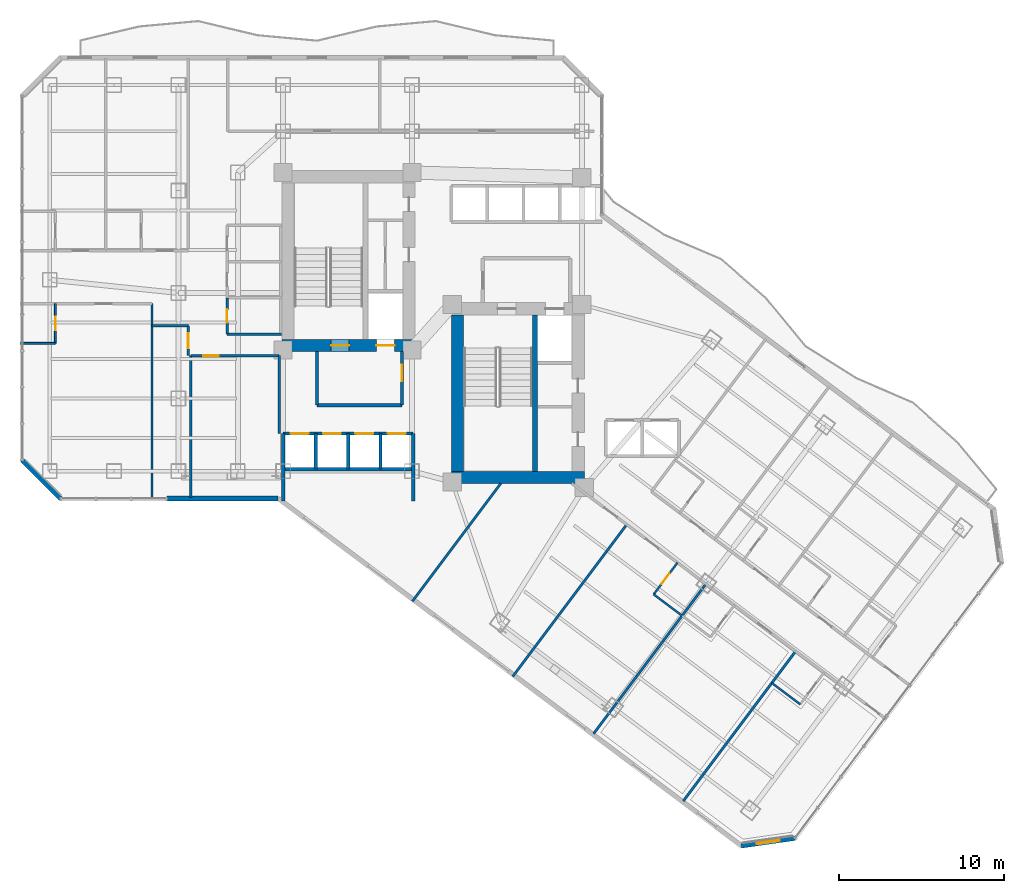
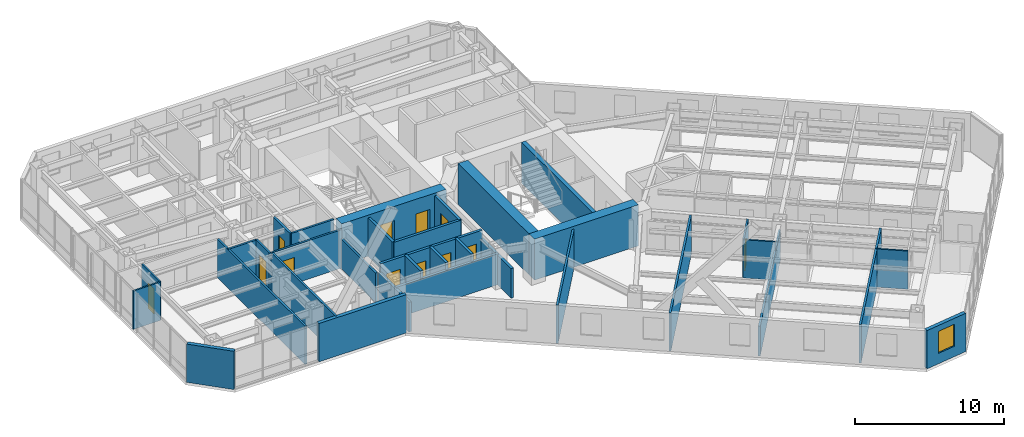
# One storey, part 22 of 30: 34 walls, 12 doors, 1 window, 13 openings.
"""IFC4 building model written with IfcOpenShell, lengths in metres."""

from ifc_helpers import new_model, si_unit, direction, frame, frame_2d, origin, place, context, subcontext, project, spatial, rectangle, extrude, material, layer, layer_set, type_object, element, fill, save


model = new_model("IFC4")

# Units and contexts
model_context = context("Model", 3, precision=1e-05, world=origin(), true_north=direction((0.0, 1.0)))
body_context = subcontext(model_context, "Body", "Model", "MODEL_VIEW")
ifc_project = project(units=[si_unit("LENGTHUNIT", "METRE"), si_unit("AREAUNIT", "SQUARE_METRE"), si_unit("VOLUMEUNIT", "CUBIC_METRE"), si_unit("PLANEANGLEUNIT", "RADIAN"), si_unit("MASSUNIT", "GRAM", prefix="KILO")], contexts=[model_context])

# Site, building, storey
site_placement = place(None, origin())
site = spatial("IfcSite", under=ifc_project, at=site_placement, CompositionType="ELEMENT")
building_placement = place(site_placement, origin())
building = spatial("IfcBuilding", under=site, at=building_placement, Name="Hatsunagi Terrace Concourse", CompositionType="ELEMENT")
storey_placement = place(building_placement, frame((0.0, 0.0, 74.60009765625)))
storey = spatial("IfcBuildingStorey", under=building, at=storey_placement, Name="L19", CompositionType="ELEMENT", Elevation=74.60009765625)

# Wall, openings, doors
ifc_material_1 = material(Name="Concrete Fc60", Category="concrete")
ifc_layer_1 = layer(ifc_material_1, 0.75)
ifc_layer_set_1 = layer_set([ifc_layer_1], Name="CoreShearWall_Fc60_750")
wall_type_1 = type_object("IfcWallType", Name="CoreShearWall_Fc60_750", PredefinedType="SHEAR", material=ifc_layer_set_1)
wall_1_placement = place(storey_placement, frame((25.469970703125, 32.81494140625, 0.0), z_axis=(0.0, 0.0, 1.0), x_axis=(1.0, 0.0, 0.0)))
wall_1 = element("IfcWall", 1, at=wall_1_placement, inside=storey, type_object=wall_type_1, Name="Core A Shear Wall S L19", PredefinedType="SHEAR", context=body_context, shape_type="SweptSolid", body=[
    extrude(rectangle(XDim=8.080078125, YDim=0.75, at=frame_2d((4.0400390625, 0.0))), origin(), (0.0, 0.0, 1.0), 3.349853515625),
])
opening_1_placement = place(wall_1_placement, frame((2.97998046875, 0.0, 0.0)))
opening_1 = element("IfcOpeningElement", 2, at=opening_1_placement, cuts=wall_1, Name="Opening DR-110S", PredefinedType="OPENING", context=body_context, shape_type="SweptSolid", body=[
    extrude(rectangle(XDim=1.10009765625, YDim=2.199951171875, at=frame_2d((0.550048828125, 1.10009765625))), frame((0.0, 0.385009765625, 0.0), z_axis=(0.0, -1.0, 0.0), x_axis=(1.0, 0.0, 0.0)), (0.0, 0.0, 1.0), 0.77001953125),
])
opening_2_placement = place(wall_1_placement, frame((5.72998046875, 0.0, 0.0)))
opening_2 = element("IfcOpeningElement", 3, at=opening_2_placement, cuts=wall_1, Name="Opening LD-01", PredefinedType="OPENING", context=body_context, shape_type="SweptSolid", body=[
    extrude(rectangle(XDim=1.10009765625, YDim=2.14990234375, at=frame_2d((0.550048828125, 1.074951171875))), frame((0.0, 0.385009765625, 0.0), z_axis=(0.0, -1.0, 0.0), x_axis=(1.0, 0.0, 0.0)), (0.0, 0.0, 1.0), 0.77001953125),
])
ifc_material_2 = material(Name="Stainless steel", Category="steel")
door_type_1 = type_object("IfcDoorType", Name="LiftLandingDoor_LD01", OperationType="SLIDING_TO_LEFT", PredefinedType="USERDEFINED", material=ifc_material_2)
door_1_placement = place(opening_2_placement, origin())
door_1 = element("IfcDoor", 4, at=door_1_placement, inside=storey, type_object=door_type_1, Name="Lift landing door FF-01 L19", ObjectType="SLIDING_LANDING_DOOR", OperationType="SLIDING_TO_LEFT", OverallHeight=2.14990234375, OverallWidth=1.10009765625, PredefinedType="USERDEFINED", context=body_context, shape_type="SweptSolid", body=[
    extrude(rectangle(XDim=1.10009765625, YDim=2.14990234375, at=frame_2d((0.550048828125, 1.074951171875))), frame((0.0, 0.02490234375, 0.0), z_axis=(0.0, -1.0, 0.0), x_axis=(1.0, 0.0, 0.0)), (0.0, 0.0, 1.0), 0.050048828125),
])
fill(opening_2, door_1)
ifc_material_3 = material(Name="Painted steel", Category="steel")
door_type_2 = type_object("IfcDoorType", Name="StairFireDoor_EI60_1100", OperationType="NOTDEFINED", PredefinedType="DOOR", material=ifc_material_3)
door_2_placement = place(opening_1_placement, origin())
door_2 = element("IfcDoor", 5, at=door_2_placement, inside=storey, type_object=door_type_2, Name="Stair ST-A Exit Door L19", OperationType="SINGLE_SWING_LEFT", OverallHeight=2.199951171875, OverallWidth=1.10009765625, PredefinedType="DOOR", context=body_context, shape_type="SweptSolid", body=[
    extrude(rectangle(XDim=1.10009765625, YDim=2.199951171875, at=frame_2d((0.550048828125, 1.10009765625))), frame((0.0, 0.02490234375, 0.0), z_axis=(0.0, -1.0, 0.0), x_axis=(1.0, 0.0, 0.0)), (0.0, 0.0, 1.0), 0.050048828125),
])
fill(opening_1, door_2)

# Walls
wall_2_placement = place(storey_placement, frame((35.739990234375, 24.81494140625, 0.0), z_axis=(0.0, 0.0, 1.0), x_axis=(1.0, 0.0, 0.0)))
element("IfcWall", 6, at=wall_2_placement, inside=storey, type_object=wall_type_1, Name="Core B Shear Wall S L19", PredefinedType="SHEAR", context=body_context, shape_type="SweptSolid", body=[
    extrude(rectangle(XDim=8.06005859375, YDim=0.75, at=frame_2d((4.030029296875, 0.0))), origin(), (0.0, 0.0, 1.0), 3.349853515625),
])
wall_3_placement = place(storey_placement, frame((36.114990234375, 25.18994140625, 0.0), z_axis=(0.0, 0.0, 1.0), x_axis=(0.0, 1.0, 0.0)))
element("IfcWall", 7, at=wall_3_placement, inside=storey, type_object=wall_type_1, Name="Core B Shear Wall W L19", PredefinedType="SHEAR", context=body_context, shape_type="SweptSolid", body=[
    extrude(rectangle(XDim=9.47998046875, YDim=0.75, at=frame_2d((4.739990234375, 0.0))), origin(), (0.0, 0.0, 1.0), 3.349853515625),
])
ifc_material_4 = material(Name="Concrete Fc48", Category="concrete")
ifc_layer_2 = layer(ifc_material_4, 0.300048828125)
ifc_layer_set_2 = layer_set([ifc_layer_2], Name="CoreStairDivider_Fc48_300")
wall_type_2 = type_object("IfcWallType", Name="CoreStairDivider_Fc48_300", PredefinedType="SHEAR", material=ifc_layer_set_2)
wall_4_placement = place(storey_placement, frame((40.81005859375, 25.18994140625, 0.0), z_axis=(0.0, 0.0, 1.0), x_axis=(0.0, 1.0, 0.0)))
element("IfcWall", 8, at=wall_4_placement, inside=storey, type_object=wall_type_2, Name="Core B Shear Wall D L19", PredefinedType="SHEAR", context=body_context, shape_type="SweptSolid", body=[
    extrude(rectangle(XDim=9.47998046875, YDim=0.300048828125, at=frame_2d((4.739990234375, 0.0))), origin(), (0.0, 0.0, 1.0), 3.349853515625),
])

# Wall, opening, door
ifc_material_5 = material(Name="Acoustic mineral board", Category="gypsum")
ifc_layer_3 = layer(ifc_material_5, 0.1201171875)
ifc_layer_set_3 = layer_set([ifc_layer_3], Name="PartitionWall_EI30_120")
wall_type_3 = type_object("IfcWallType", Name="PartitionWall_EI30_120", PredefinedType="PARTITIONING", material=ifc_layer_set_3)
wall_5_placement = place(storey_placement, frame((11.75, 32.949951171875, 0.0), z_axis=(0.0, 0.0, 1.0), x_axis=(0.0, 1.0, 0.0)))
wall_5 = element("IfcWall", 9, at=wall_5_placement, inside=storey, type_object=wall_type_3, Name="Interior Partition IW-L19-060", PredefinedType="PARTITIONING", context=body_context, shape_type="SweptSolid", body=[
    extrude(rectangle(XDim=2.400146484375, YDim=0.1201171875, at=frame_2d((1.2001953125, 0.0))), origin(), (0.0, 0.0, 1.0), 3.1298828125),
])
opening_3_placement = place(wall_5_placement, frame((0.800048828125, 0.0, 0.0)))
opening_3 = element("IfcOpeningElement", 10, at=opening_3_placement, cuts=wall_5, Name="Opening DR-080", PredefinedType="OPENING", context=body_context, shape_type="SweptSolid", body=[
    extrude(rectangle(XDim=0.800048828125, YDim=2.06005859375, at=frame_2d((0.39990234375, 1.030029296875))), frame((0.0, 0.070068359375, 0.0), z_axis=(0.0, -1.0, 0.0), x_axis=(1.0, 0.0, 0.0)), (0.0, 0.0, 1.0), 0.14013671875),
])
ifc_material_6 = material(Name="Hardwood timber", Category="wood")
door_type_3 = type_object("IfcDoorType", Name="BathroomDoor_800", OperationType="NOTDEFINED", PredefinedType="DOOR", material=ifc_material_6)
door_3_placement = place(opening_3_placement, origin())
door_3 = element("IfcDoor", 11, at=door_3_placement, inside=storey, type_object=door_type_3, Name="En-Suite Bathroom L19-S1 Door", OperationType="SINGLE_SWING_RIGHT", OverallHeight=2.06005859375, OverallWidth=0.800048828125, PredefinedType="DOOR", context=body_context, shape_type="SweptSolid", body=[
    extrude(rectangle(XDim=0.800048828125, YDim=2.06005859375, at=frame_2d((0.39990234375, 1.030029296875))), frame((0.0, 0.02490234375, 0.0), z_axis=(0.0, -1.0, 0.0), x_axis=(1.0, 0.0, 0.0)), (0.0, 0.0, 1.0), 0.050048828125),
])
fill(opening_3, door_3)

# Wall
wall_6_placement = place(storey_placement, frame((9.639892578125, 32.949951171875, 0.0), z_axis=(0.0, 0.0, 1.0), x_axis=(1.0, 0.0, 0.0)))
element("IfcWall", 12, at=wall_6_placement, inside=storey, type_object=wall_type_3, Name="Interior Partition IW-L19-061", PredefinedType="PARTITIONING", context=body_context, shape_type="SweptSolid", body=[
    extrude(rectangle(XDim=2.110107421875, YDim=0.1201171875, at=frame_2d((1.05517578125, 0.0))), origin(), (0.0, 0.0, 1.0), 3.1298828125),
])

# Wall, opening, door
wall_7_placement = place(storey_placement, frame((48.010009765625, 17.72998046875, 0.0), z_axis=(0.0, 0.0, 1.0), x_axis=(0.6, 0.8, 0.0)))
wall_7 = element("IfcWall", 13, at=wall_7_placement, inside=storey, type_object=wall_type_3, Name="Interior Partition IW-L19-087", PredefinedType="PARTITIONING", context=body_context, shape_type="SweptSolid", body=[
    extrude(rectangle(XDim=2.39990234375, YDim=0.1201171875, at=frame_2d((1.199951171875, 0.0))), origin(), (0.0, 0.0, 1.0), 3.1298828125),
])
opening_4_placement = place(wall_7_placement, frame((0.800048828125, 0.0, 0.0)))
opening_4 = element("IfcOpeningElement", 14, at=opening_4_placement, cuts=wall_7, Name="Opening DR-080", PredefinedType="OPENING", context=body_context, shape_type="SweptSolid", body=[
    extrude(rectangle(XDim=0.800048828125, YDim=2.06005859375, at=frame_2d((0.39990234375, 1.030029296875))), frame((0.0, 0.070068359375, 0.0), z_axis=(0.0, -1.0, 0.0), x_axis=(1.0, 0.0, 0.0)), (0.0, 0.0, 1.0), 0.14013671875),
])
door_4_placement = place(opening_4_placement, origin())
door_4 = element("IfcDoor", 15, at=door_4_placement, inside=storey, type_object=door_type_3, Name="En-Suite Bathroom L19-SESW1 Door", OperationType="SINGLE_SWING_LEFT", OverallHeight=2.06005859375, OverallWidth=0.800048828125, PredefinedType="DOOR", context=body_context, shape_type="SweptSolid", body=[
    extrude(rectangle(XDim=0.800048828125, YDim=2.06005859375, at=frame_2d((0.39990234375, 1.030029296875))), frame((0.0, 0.02490234375, 0.0), z_axis=(0.0, -1.0, 0.0), x_axis=(1.0, 0.0, 0.0)), (0.0, 0.0, 1.0), 0.050048828125),
])
fill(opening_4, door_4)

# Walls
for number, where, z_axis, x_axis, name in (
    (16, (48.010009765625, 17.72998046875, 0.0), (0.0, 0.0, 1.0), (0.79998637334, -0.60001816845, 0.0), "Interior Partition IW-L19-088"),
    (17, (55.169921875, 12.360107421875, 0.0), (0.0, 0.0, 1.0), (0.79998637334, -0.60001816845, 0.0), "Interior Partition IW-L19-098"),
):
    element("IfcWall", number, at=place(storey_placement, frame(where, z_axis=z_axis, x_axis=x_axis)), inside=storey, type_object=wall_type_3, Name=name, PredefinedType="PARTITIONING", context=body_context, shape_type="SweptSolid", body=[
        extrude(rectangle(XDim=2.14990234375, YDim=0.1201171875, at=frame_2d((1.074951171875, 0.0))), origin(), (0.0, 0.0, 1.0), 3.1298828125),
    ])
ifc_material_7 = material(Name="Acoustic mineral board", Category="gypsum")
ifc_layer_4 = layer(ifc_material_7, 0.14990234375)
ifc_layer_set_4 = layer_set([ifc_layer_4], Name="PartitionWall_EI60_150")
wall_type_4 = type_object("IfcWallType", Name="PartitionWall_EI60_150", PredefinedType="PARTITIONING", material=ifc_layer_set_4)
wall_8_placement = place(storey_placement, frame((22.14990234375, 33.5, 0.0), z_axis=(0.0, 0.0, 1.0), x_axis=(1.0, 0.0, 0.0)))
element("IfcWall", 18, at=wall_8_placement, inside=storey, type_object=wall_type_4, Name="Interior Partition IW-L19-030", PredefinedType="PARTITIONING", context=body_context, shape_type="SweptSolid", body=[
    extrude(rectangle(XDim=3.300048828125, YDim=0.14990234375, at=frame_2d((1.64990234375, 0.0))), origin(), (0.0, 0.0, 1.0), 3.1298828125),
])

# Wall, opening, door
wall_9_placement = place(storey_placement, frame((22.14990234375, 33.5, 0.0), z_axis=(0.0, 0.0, 1.0), x_axis=(0.0, 1.0, 0.0)))
wall_9 = element("IfcWall", 19, at=wall_9_placement, inside=storey, type_object=wall_type_4, Name="Interior Partition IW-L19-035", PredefinedType="PARTITIONING", context=body_context, shape_type="SweptSolid", body=[
    extrude(rectangle(XDim=2.199951171875, YDim=0.14990234375, at=frame_2d((1.10009765625, 0.0))), origin(), (0.0, 0.0, 1.0), 3.1298828125),
])
opening_5_placement = place(wall_9_placement, frame((0.699951171875, 0.0, 0.0)))
opening_5 = element("IfcOpeningElement", 20, at=opening_5_placement, cuts=wall_9, Name="Opening DR-080", PredefinedType="OPENING", context=body_context, shape_type="SweptSolid", body=[
    extrude(rectangle(XDim=0.800048828125, YDim=2.06005859375, at=frame_2d((0.39990234375, 1.030029296875))), frame((0.0, 0.0849609375, 0.0), z_axis=(0.0, -1.0, 0.0), x_axis=(1.0, 0.0, 0.0)), (0.0, 0.0, 1.0), 0.169921875),
])
door_5_placement = place(opening_5_placement, origin())
door_5 = element("IfcDoor", 21, at=door_5_placement, inside=storey, type_object=door_type_3, Name="Accessible WC Door L19", OperationType="SINGLE_SWING_RIGHT", OverallHeight=2.06005859375, OverallWidth=0.800048828125, PredefinedType="DOOR", context=body_context, shape_type="SweptSolid", body=[
    extrude(rectangle(XDim=0.800048828125, YDim=2.06005859375, at=frame_2d((0.39990234375, 1.030029296875))), frame((0.0, 0.02490234375, 0.0), z_axis=(0.0, -1.0, 0.0), x_axis=(1.0, 0.0, 0.0)), (0.0, 0.0, 1.0), 0.050048828125),
])
fill(opening_5, door_5)

# Walls
wall_10_placement = place(storey_placement, frame((33.384033203125, 17.31201171875, 0.0), z_axis=(0.0, 0.0, 1.0), x_axis=(0.600008743659, 0.799993442181, 0.0)))
element("IfcWall", 22, at=wall_10_placement, inside=storey, type_object=wall_type_4, Name="Interior Partition IW-L19-043", PredefinedType="PARTITIONING", context=body_context, shape_type="SweptSolid", body=[
    extrude(rectangle(XDim=8.93505859375, YDim=0.14990234375, at=frame_2d((4.467529296875, 0.0))), origin(), (0.0, 0.0, 1.0), 3.1298828125),
])
wall_11_placement = place(storey_placement, frame((39.464111328125, 12.751953125, 0.0), z_axis=(0.0, 0.0, 1.0), x_axis=(0.6, 0.8, 0.0)))
element("IfcWall", 23, at=wall_11_placement, inside=storey, type_object=wall_type_4, Name="Interior Partition IW-L19-044", PredefinedType="PARTITIONING", context=body_context, shape_type="SweptSolid", body=[
    extrude(rectangle(XDim=11.510009765625, YDim=0.14990234375, at=frame_2d((5.7548828125, 0.0))), origin(), (0.0, 0.0, 1.0), 3.1298828125),
])

# Wall, opening, door
wall_12_placement = place(storey_placement, frame((19.949951171875, 32.199951171875, 0.0), z_axis=(0.0, 0.0, 1.0), x_axis=(1.0, 0.0, 0.0)))
wall_12 = element("IfcWall", 24, at=wall_12_placement, inside=storey, type_object=wall_type_4, Name="Interior Partition IW-L19-045", PredefinedType="PARTITIONING", context=body_context, shape_type="SweptSolid", body=[
    extrude(rectangle(XDim=5.35009765625, YDim=0.14990234375, at=frame_2d((2.675048828125, 0.0))), origin(), (0.0, 0.0, 1.0), 3.1298828125),
])
opening_6_placement = place(wall_12_placement, frame((0.743896484375, 0.0, 0.0)))
opening_6 = element("IfcOpeningElement", 25, at=opening_6_placement, cuts=wall_12, Name="Opening DR-095", PredefinedType="OPENING", context=body_context, shape_type="SweptSolid", body=[
    extrude(rectangle(XDim=0.949951171875, YDim=2.14990234375, at=frame_2d((0.47509765625, 1.074951171875))), frame((0.0, 0.0849609375, 0.0), z_axis=(0.0, -1.0, 0.0), x_axis=(1.0, 0.0, 0.0)), (0.0, 0.0, 1.0), 0.169921875),
])
ifc_material_8 = material(Name="Hardwood timber", Category="wood")
door_type_4 = type_object("IfcDoorType", Name="InteriorSuiteDoor_EI30_950", OperationType="NOTDEFINED", PredefinedType="DOOR", material=ifc_material_8)
door_6_placement = place(opening_6_placement, origin())
door_6 = element("IfcDoor", 26, at=door_6_placement, inside=storey, type_object=door_type_4, Name="Hotel Wellness Spa L19-HSPA Door", OperationType="SINGLE_SWING_LEFT", OverallHeight=2.14990234375, OverallWidth=0.949951171875, PredefinedType="DOOR", context=body_context, shape_type="SweptSolid", body=[
    extrude(rectangle(XDim=0.949951171875, YDim=2.14990234375, at=frame_2d((0.47509765625, 1.074951171875))), frame((0.0, 0.02490234375, 0.0), z_axis=(0.0, -1.0, 0.0), x_axis=(1.0, 0.0, 0.0)), (0.0, 0.0, 1.0), 0.050048828125),
])
fill(opening_6, door_6)

# Walls
wall_13_placement = place(storey_placement, frame((19.949951171875, 23.60009765625, 0.0), z_axis=(0.0, 0.0, 1.0), x_axis=(0.0, 1.0, 0.0)))
element("IfcWall", 27, at=wall_13_placement, inside=storey, type_object=wall_type_4, Name="Interior Partition IW-L19-046", PredefinedType="PARTITIONING", context=body_context, shape_type="SweptSolid", body=[
    extrude(rectangle(XDim=8.599853515625, YDim=0.14990234375, at=frame_2d((4.2998046875, 0.0))), origin(), (0.0, 0.0, 1.0), 3.1298828125),
])
wall_14_placement = place(storey_placement, frame((25.300048828125, 27.47998046875, 0.0), z_axis=(0.0, 0.0, 1.0), x_axis=(0.0, 1.0, 0.0)))
element("IfcWall", 28, at=wall_14_placement, inside=storey, type_object=wall_type_4, Name="Interior Partition IW-L19-047", PredefinedType="PARTITIONING", context=body_context, shape_type="SweptSolid", body=[
    extrude(rectangle(XDim=4.719970703125, YDim=0.14990234375, at=frame_2d((2.35986328125, 0.0))), origin(), (0.0, 0.0, 1.0), 2.4248046875),
])
wall_15_placement = place(storey_placement, frame((17.60009765625, 23.60009765625, 0.0), z_axis=(0.0, 0.0, 1.0), x_axis=(0.0, 1.0, 0.0)))
element("IfcWall", 29, at=wall_15_placement, inside=storey, type_object=wall_type_4, Name="Interior Partition IW-L19-062", PredefinedType="PARTITIONING", context=body_context, shape_type="SweptSolid", body=[
    extrude(rectangle(XDim=11.75, YDim=0.14990234375, at=frame_2d((5.875, 0.0))), origin(), (0.0, 0.0, 1.0), 3.1298828125),
])
wall_16_placement = place(storey_placement, frame((17.60009765625, 34.0, 0.0), z_axis=(0.0, 0.0, 1.0), x_axis=(1.0, 0.0, 0.0)))
element("IfcWall", 30, at=wall_16_placement, inside=storey, type_object=wall_type_4, Name="Interior Partition IW-L19-063", PredefinedType="PARTITIONING", context=body_context, shape_type="SweptSolid", body=[
    extrude(rectangle(XDim=2.199951171875, YDim=0.14990234375, at=frame_2d((1.10009765625, 0.0))), origin(), (0.0, 0.0, 1.0), 3.1298828125),
])

# Wall, opening, door
wall_17_placement = place(storey_placement, frame((19.800048828125, 32.199951171875, 0.0), z_axis=(0.0, 0.0, 1.0), x_axis=(0.0, 1.0, 0.0)))
wall_17 = element("IfcWall", 31, at=wall_17_placement, inside=storey, type_object=wall_type_4, Name="Interior Partition IW-L19-064", PredefinedType="PARTITIONING", context=body_context, shape_type="SweptSolid", body=[
    extrude(rectangle(XDim=1.800048828125, YDim=0.14990234375, at=frame_2d((0.89990234375, 0.0))), origin(), (0.0, 0.0, 1.0), 3.1298828125),
])
opening_7_placement = place(wall_17_placement, frame((0.449951171875, 0.0, 0.0)))
opening_7 = element("IfcOpeningElement", 32, at=opening_7_placement, cuts=wall_17, Name="Opening DR-090", PredefinedType="OPENING", context=body_context, shape_type="SweptSolid", body=[
    extrude(rectangle(XDim=0.89990234375, YDim=2.14990234375, at=frame_2d((0.449951171875, 1.074951171875))), frame((0.0, 0.0849609375, 0.0), z_axis=(0.0, -1.0, 0.0), x_axis=(1.0, 0.0, 0.0)), (0.0, 0.0, 1.0), 0.169921875),
])
ifc_material_9 = material(Name="Hardwood timber", Category="wood")
door_type_5 = type_object("IfcDoorType", Name="CrownPavilionDoor_EI30_900", OperationType="NOTDEFINED", PredefinedType="DOOR", material=ifc_material_9)
door_7_placement = place(opening_7_placement, origin())
door_7 = element("IfcDoor", 33, at=door_7_placement, inside=storey, type_object=door_type_5, Name="Catering Pantry L19-HPAN Door", OperationType="SINGLE_SWING_RIGHT", OverallHeight=2.14990234375, OverallWidth=0.89990234375, PredefinedType="DOOR", context=body_context, shape_type="SweptSolid", body=[
    extrude(rectangle(XDim=0.89990234375, YDim=2.14990234375, at=frame_2d((0.449951171875, 1.074951171875))), frame((0.0, 0.02490234375, 0.0), z_axis=(0.0, -1.0, 0.0), x_axis=(1.0, 0.0, 0.0)), (0.0, 0.0, 1.0), 0.050048828125),
])
fill(opening_7, door_7)

# Walls
wall_18_placement = place(storey_placement, frame((44.360107421875, 9.280029296875, 0.0), z_axis=(0.0, 0.0, 1.0), x_axis=(0.599986233332, 0.800010324816, 0.0)))
element("IfcWall", 34, at=wall_18_placement, inside=storey, type_object=wall_type_4, Name="Interior Partition IW-L19-089", PredefinedType="PARTITIONING", context=body_context, shape_type="SweptSolid", body=[
    extrude(rectangle(XDim=11.349853515625, YDim=0.14990234375, at=frame_2d((5.6748046875, 0.0))), origin(), (0.0, 0.0, 1.0), 2.4248046875),
])
wall_19_placement = place(storey_placement, frame((49.800048828125, 5.199951171875, 0.0), z_axis=(0.0, 0.0, 1.0), x_axis=(0.6, 0.8, 0.0)))
element("IfcWall", 35, at=wall_19_placement, inside=storey, type_object=wall_type_4, Name="Interior Partition IW-L19-094", PredefinedType="PARTITIONING", context=body_context, shape_type="SweptSolid", body=[
    extrude(rectangle(XDim=11.35009765625, YDim=0.14990234375, at=frame_2d((5.675048828125, 0.0))), origin(), (0.0, 0.0, 1.0), 3.1298828125),
])
ifc_material_10 = material(Name="Acoustic mineral board", Category="gypsum")
ifc_layer_5 = layer(ifc_material_10, 0.199951171875)
ifc_layer_set_5 = layer_set([ifc_layer_5], Name="ShaftWall_EI120_200")
wall_type_5 = type_object("IfcWallType", Name="ShaftWall_EI120_200", PredefinedType="STANDARD", material=ifc_layer_set_5)
wall_20_placement = place(storey_placement, frame((27.60009765625, 29.199951171875, 0.0), z_axis=(0.0, 0.0, 1.0), x_axis=(1.0, 0.0, 0.0)))
element("IfcWall", 36, at=wall_20_placement, inside=storey, type_object=wall_type_5, Name="Interior Partition IW-L19-006", PredefinedType="STANDARD", context=body_context, shape_type="SweptSolid", body=[
    extrude(rectangle(XDim=5.14990234375, YDim=0.199951171875, at=frame_2d((2.574951171875, 0.0))), origin(), (0.0, 0.0, 1.0), 3.1298828125),
])
wall_21_placement = place(storey_placement, frame((27.60009765625, 29.199951171875, 0.0), z_axis=(0.0, 0.0, 1.0), x_axis=(0.0, 1.0, 0.0)))
element("IfcWall", 37, at=wall_21_placement, inside=storey, type_object=wall_type_5, Name="Interior Partition IW-L19-007", PredefinedType="STANDARD", context=body_context, shape_type="SweptSolid", body=[
    extrude(rectangle(XDim=3.239990234375, YDim=0.199951171875, at=frame_2d((1.6201171875, 0.0))), origin(), (0.0, 0.0, 1.0), 3.1298828125),
])

# Wall, opening, door
wall_22_placement = place(storey_placement, frame((32.75, 29.199951171875, 0.0), z_axis=(0.0, 0.0, 1.0), x_axis=(0.0, 1.0, 0.0)))
wall_22 = element("IfcWall", 38, at=wall_22_placement, inside=storey, type_object=wall_type_5, Name="Interior Partition IW-L19-008", PredefinedType="STANDARD", context=body_context, shape_type="SweptSolid", body=[
    extrude(rectangle(XDim=3.239990234375, YDim=0.199951171875, at=frame_2d((1.6201171875, 0.0))), origin(), (0.0, 0.0, 1.0), 3.1298828125),
])
opening_8_placement = place(wall_22_placement, frame((1.449951171875, 0.0, 0.0)))
opening_8 = element("IfcOpeningElement", 39, at=opening_8_placement, cuts=wall_22, Name="Opening DR-100F", PredefinedType="OPENING", context=body_context, shape_type="SweptSolid", body=[
    extrude(rectangle(XDim=1.0, YDim=2.199951171875, at=frame_2d((0.5, 1.10009765625))), frame((0.0, 0.10986328125, 0.0), z_axis=(0.0, -1.0, 0.0), x_axis=(1.0, 0.0, 0.0)), (0.0, 0.0, 1.0), 0.219970703125),
])
ifc_material_11 = material(Name="Painted steel", Category="steel")
door_type_6 = type_object("IfcDoorType", Name="FireDoor_EI60_1000", OperationType="NOTDEFINED", PredefinedType="DOOR", material=ifc_material_11)
door_8_placement = place(opening_8_placement, origin())
door_8 = element("IfcDoor", 40, at=door_8_placement, inside=storey, type_object=door_type_6, Name="Firefighting Lobby A Door L19", OperationType="SINGLE_SWING_RIGHT", OverallHeight=2.199951171875, OverallWidth=1.0, PredefinedType="DOOR", context=body_context, shape_type="SweptSolid", body=[
    extrude(rectangle(XDim=1.0, YDim=2.199951171875, at=frame_2d((0.5, 1.10009765625))), frame((0.0, 0.02490234375, 0.0), z_axis=(0.0, -1.0, 0.0), x_axis=(1.0, 0.0, 0.0)), (0.0, 0.0, 1.0), 0.050048828125),
])
fill(opening_8, door_8)

# Walls
for number, where, z_axis, x_axis, name in (
    (41, (25.550048828125, 23.39990234375, 0.0), (0.0, 0.0, 1.0), (0.0, 1.0, 0.0), "Interior Partition IW-L19-012"),
    (42, (33.429931640625, 23.39990234375, 0.0), (0.0, 0.0, 1.0), (0.0, 1.0, 0.0), "Interior Partition IW-L19-013"),
):
    element("IfcWall", number, at=place(storey_placement, frame(where, z_axis=z_axis, x_axis=x_axis)), inside=storey, type_object=wall_type_5, Name=name, PredefinedType="STANDARD", context=body_context, shape_type="SweptSolid", body=[
        extrude(rectangle(XDim=4.080078125, YDim=0.199951171875, at=frame_2d((2.0400390625, 0.0))), origin(), (0.0, 0.0, 1.0), 2.4248046875),
    ])
wall_23_placement = place(storey_placement, frame((25.550048828125, 25.320068359375, 0.0), z_axis=(0.0, 0.0, 1.0), x_axis=(1.0, 0.0, 0.0)))
element("IfcWall", 43, at=wall_23_placement, inside=storey, type_object=wall_type_5, Name="Interior Partition IW-L19-014", PredefinedType="STANDARD", context=body_context, shape_type="SweptSolid", body=[
    extrude(rectangle(XDim=7.8798828125, YDim=0.199951171875, at=frame_2d((3.93994140625, 0.0))), origin(), (0.0, 0.0, 1.0), 2.52490234375),
])
for number, where, z_axis, x_axis, name in (
    (44, (27.530029296875, 25.320068359375, 0.0), (0.0, 0.0, 1.0), (0.0, 1.0, 0.0), "Interior Partition IW-L19-015"),
    (45, (29.489990234375, 25.320068359375, 0.0), (0.0, 0.0, 1.0), (0.0, 1.0, 0.0), "Interior Partition IW-L19-016"),
    (46, (31.449951171875, 25.320068359375, 0.0), (0.0, 0.0, 1.0), (0.0, 1.0, 0.0), "Interior Partition IW-L19-017"),
):
    element("IfcWall", number, at=place(storey_placement, frame(where, z_axis=z_axis, x_axis=x_axis)), inside=storey, type_object=wall_type_5, Name=name, PredefinedType="STANDARD", context=body_context, shape_type="SweptSolid", body=[
        extrude(rectangle(XDim=2.159912109375, YDim=0.199951171875, at=frame_2d((1.080078125, 0.0))), origin(), (0.0, 0.0, 1.0), 3.1298828125),
    ])

# Wall, openings, doors
wall_24_placement = place(storey_placement, frame((25.550048828125, 27.47998046875, 0.0), z_axis=(0.0, 0.0, 1.0), x_axis=(1.0, 0.0, 0.0)))
wall_24 = element("IfcWall", 47, at=wall_24_placement, inside=storey, type_object=wall_type_5, Name="Interior Partition IW-L19-018", PredefinedType="STANDARD", context=body_context, shape_type="SweptSolid", body=[
    extrude(rectangle(XDim=7.8798828125, YDim=0.199951171875, at=frame_2d((3.93994140625, 0.0))), origin(), (0.0, 0.0, 1.0), 3.1298828125),
])
opening_9_placement = place(wall_24_placement, frame((0.4599609375, 0.0, 0.0)))
opening_9 = element("IfcOpeningElement", 48, at=opening_9_placement, cuts=wall_24, Name="Opening LD-03", PredefinedType="OPENING", context=body_context, shape_type="SweptSolid", body=[
    extrude(rectangle(XDim=1.080078125, YDim=2.14990234375, at=frame_2d((0.5400390625, 1.074951171875))), frame((0.0, 0.10986328125, 0.0), z_axis=(0.0, -1.0, 0.0), x_axis=(1.0, 0.0, 0.0)), (0.0, 0.0, 1.0), 0.219970703125),
])
opening_10_placement = place(wall_24_placement, frame((2.419921875, 0.0, 0.0)))
opening_10 = element("IfcOpeningElement", 49, at=opening_10_placement, cuts=wall_24, Name="Opening LD-03", PredefinedType="OPENING", context=body_context, shape_type="SweptSolid", body=[
    extrude(rectangle(XDim=1.080078125, YDim=2.14990234375, at=frame_2d((0.5400390625, 1.074951171875))), frame((0.0, 0.10986328125, 0.0), z_axis=(0.0, -1.0, 0.0), x_axis=(1.0, 0.0, 0.0)), (0.0, 0.0, 1.0), 0.219970703125),
])
opening_11_placement = place(wall_24_placement, frame((4.3798828125, 0.0, 0.0)))
opening_11 = element("IfcOpeningElement", 50, at=opening_11_placement, cuts=wall_24, Name="Opening LD-03", PredefinedType="OPENING", context=body_context, shape_type="SweptSolid", body=[
    extrude(rectangle(XDim=1.080078125, YDim=2.14990234375, at=frame_2d((0.5400390625, 1.074951171875))), frame((0.0, 0.10986328125, 0.0), z_axis=(0.0, -1.0, 0.0), x_axis=(1.0, 0.0, 0.0)), (0.0, 0.0, 1.0), 0.219970703125),
])
opening_12_placement = place(wall_24_placement, frame((6.340087890625, 0.0, 0.0)))
opening_12 = element("IfcOpeningElement", 51, at=opening_12_placement, cuts=wall_24, Name="Opening LD-03", PredefinedType="OPENING", context=body_context, shape_type="SweptSolid", body=[
    extrude(rectangle(XDim=1.080078125, YDim=2.14990234375, at=frame_2d((0.5400390625, 1.074951171875))), frame((0.0, 0.10986328125, 0.0), z_axis=(0.0, -1.0, 0.0), x_axis=(1.0, 0.0, 0.0)), (0.0, 0.0, 1.0), 0.219970703125),
])
ifc_material_12 = material(Name="Stainless steel", Category="steel")
door_type_7 = type_object("IfcDoorType", Name="LiftLandingDoor_LD03", OperationType="SLIDING_TO_LEFT", PredefinedType="USERDEFINED", material=ifc_material_12)
door_9_placement = place(opening_9_placement, origin())
door_9 = element("IfcDoor", 52, at=door_9_placement, inside=storey, type_object=door_type_7, Name="Lift landing door PL-01 L19", ObjectType="SLIDING_LANDING_DOOR", OperationType="SLIDING_TO_LEFT", OverallHeight=2.14990234375, OverallWidth=1.080078125, PredefinedType="USERDEFINED", context=body_context, shape_type="SweptSolid", body=[
    extrude(rectangle(XDim=1.080078125, YDim=2.14990234375, at=frame_2d((0.5400390625, 1.074951171875))), frame((0.0, 0.02490234375, 0.0), z_axis=(0.0, -1.0, 0.0), x_axis=(1.0, 0.0, 0.0)), (0.0, 0.0, 1.0), 0.050048828125),
])
fill(opening_9, door_9)
door_10_placement = place(opening_10_placement, origin())
door_10 = element("IfcDoor", 53, at=door_10_placement, inside=storey, type_object=door_type_7, Name="Lift landing door PL-02 L19", ObjectType="SLIDING_LANDING_DOOR", OperationType="SLIDING_TO_LEFT", OverallHeight=2.14990234375, OverallWidth=1.080078125, PredefinedType="USERDEFINED", context=body_context, shape_type="SweptSolid", body=[
    extrude(rectangle(XDim=1.080078125, YDim=2.14990234375, at=frame_2d((0.5400390625, 1.074951171875))), frame((0.0, 0.02490234375, 0.0), z_axis=(0.0, -1.0, 0.0), x_axis=(1.0, 0.0, 0.0)), (0.0, 0.0, 1.0), 0.050048828125),
])
fill(opening_10, door_10)
door_11_placement = place(opening_11_placement, origin())
door_11 = element("IfcDoor", 54, at=door_11_placement, inside=storey, type_object=door_type_7, Name="Lift landing door PL-03 L19", ObjectType="SLIDING_LANDING_DOOR", OperationType="SLIDING_TO_LEFT", OverallHeight=2.14990234375, OverallWidth=1.080078125, PredefinedType="USERDEFINED", context=body_context, shape_type="SweptSolid", body=[
    extrude(rectangle(XDim=1.080078125, YDim=2.14990234375, at=frame_2d((0.5400390625, 1.074951171875))), frame((0.0, 0.02490234375, 0.0), z_axis=(0.0, -1.0, 0.0), x_axis=(1.0, 0.0, 0.0)), (0.0, 0.0, 1.0), 0.050048828125),
])
fill(opening_11, door_11)
door_12_placement = place(opening_12_placement, origin())
door_12 = element("IfcDoor", 55, at=door_12_placement, inside=storey, type_object=door_type_7, Name="Lift landing door PL-04 L19", ObjectType="SLIDING_LANDING_DOOR", OperationType="SLIDING_TO_LEFT", OverallHeight=2.14990234375, OverallWidth=1.080078125, PredefinedType="USERDEFINED", context=body_context, shape_type="SweptSolid", body=[
    extrude(rectangle(XDim=1.080078125, YDim=2.14990234375, at=frame_2d((0.5400390625, 1.074951171875))), frame((0.0, 0.02490234375, 0.0), z_axis=(0.0, -1.0, 0.0), x_axis=(1.0, 0.0, 0.0)), (0.0, 0.0, 1.0), 0.050048828125),
])
fill(opening_12, door_12)

# Wall, opening, window
ifc_material_13 = material(Name="Autoclaved Lightweight Concrete and Terracotta Cladding", Category="masonry")
ifc_layer_6 = layer(ifc_material_13, 0.280029296875)
ifc_layer_set_6 = layer_set([ifc_layer_6], Name="TerracottaSpandrelWall_280")
wall_type_6 = type_object("IfcWallType", Name="TerracottaSpandrelWall_280", PredefinedType="STANDARD", material=ifc_layer_set_6)
wall_25_placement = place(storey_placement, frame((56.56298828125, 2.949951171875, 0.0), z_axis=(0.0, 0.0, 1.0), x_axis=(-0.989977778067, -0.141223223777, 0.0)))
wall_25 = element("IfcWall", 56, at=wall_25_placement, inside=storey, type_object=wall_type_6, Name="Exterior Spandrel Wall EW-L19-04", PredefinedType="STANDARD", context=body_context, shape_type="SweptSolid", body=[
    extrude(rectangle(XDim=3.27783203125, YDim=0.280029296875, at=frame_2d((1.638916015625, 0.0))), origin(), (0.0, 0.0, 1.0), 3.1298828125),
])
opening_13_placement = place(wall_25_placement, frame((0.93896484375, 0.0, 0.85009765625)))
opening_13 = element("IfcOpeningElement", 57, at=opening_13_placement, cuts=wall_25, Name="Opening WIN-02", PredefinedType="OPENING", context=body_context, shape_type="SweptSolid", body=[
    extrude(rectangle(XDim=1.39990234375, YDim=1.800048828125, at=frame_2d((0.699951171875, 0.89990234375))), frame((0.0, 0.14990234375, 0.0), z_axis=(0.0, -1.0, 0.0), x_axis=(1.0, 0.0, 0.0)), (0.0, 0.0, 1.0), 0.300048828125),
])
ifc_material_14 = material(Name="Thermally Broken Aluminium and Low-E Triple Glazing", Category="aluminium")
window_type = type_object("IfcWindowType", Name="HotelOperableVentWindow_1400x1800", PartitioningType="DOUBLE_PANEL_VERTICAL", PredefinedType="WINDOW", material=ifc_material_14)
window_placement = place(opening_13_placement, origin())
window = element("IfcWindow", 58, at=window_placement, inside=storey, type_object=window_type, Name="Hotel Guestroom Window L19-04-1", OverallHeight=1.800048828125, OverallWidth=1.39990234375, PartitioningType="SINGLE_PANEL", PredefinedType="WINDOW", context=body_context, shape_type="SweptSolid", body=[
    extrude(rectangle(XDim=1.39990234375, YDim=1.800048828125, at=frame_2d((0.699951171875, 0.89990234375))), frame((0.0, 0.030029296875, 0.0), z_axis=(0.0, -1.0, 0.0), x_axis=(1.0, 0.0, 0.0)), (0.0, 0.0, 1.0), 0.06005859375),
])
fill(opening_13, window)

# Walls
wall_26_placement = place(storey_placement, frame((25.2470703125, 23.5400390625, 0.0), z_axis=(0.0, 0.0, 1.0), x_axis=(-1.0, 0.0, 0.0)))
element("IfcWall", 59, at=wall_26_placement, inside=storey, type_object=wall_type_6, Name="Exterior Spandrel Wall EW-L19-06", PredefinedType="STANDARD", context=body_context, shape_type="SweptSolid", body=[
    extrude(rectangle(XDim=6.7470703125, YDim=0.280029296875, at=frame_2d((3.37353515625, 0.0))), origin(), (0.0, 0.0, 1.0), 3.1298828125),
])
wall_27_placement = place(storey_placement, frame((12.05810546875, 23.5400390625, 0.0), z_axis=(0.0, 0.0, 1.0), x_axis=(-0.707144017911, 0.707069542501, 0.0)))
element("IfcWall", 60, at=wall_27_placement, inside=storey, type_object=wall_type_6, Name="Exterior Spandrel Wall EW-L19-08", PredefinedType="STANDARD", context=body_context, shape_type="SweptSolid", body=[
    extrude(rectangle(XDim=3.278076171875, YDim=0.280029296875, at=frame_2d((1.63916015625, 0.0))), origin(), (0.0, 0.0, 1.0), 3.1298828125),
])

save(model, "model.ifc")
